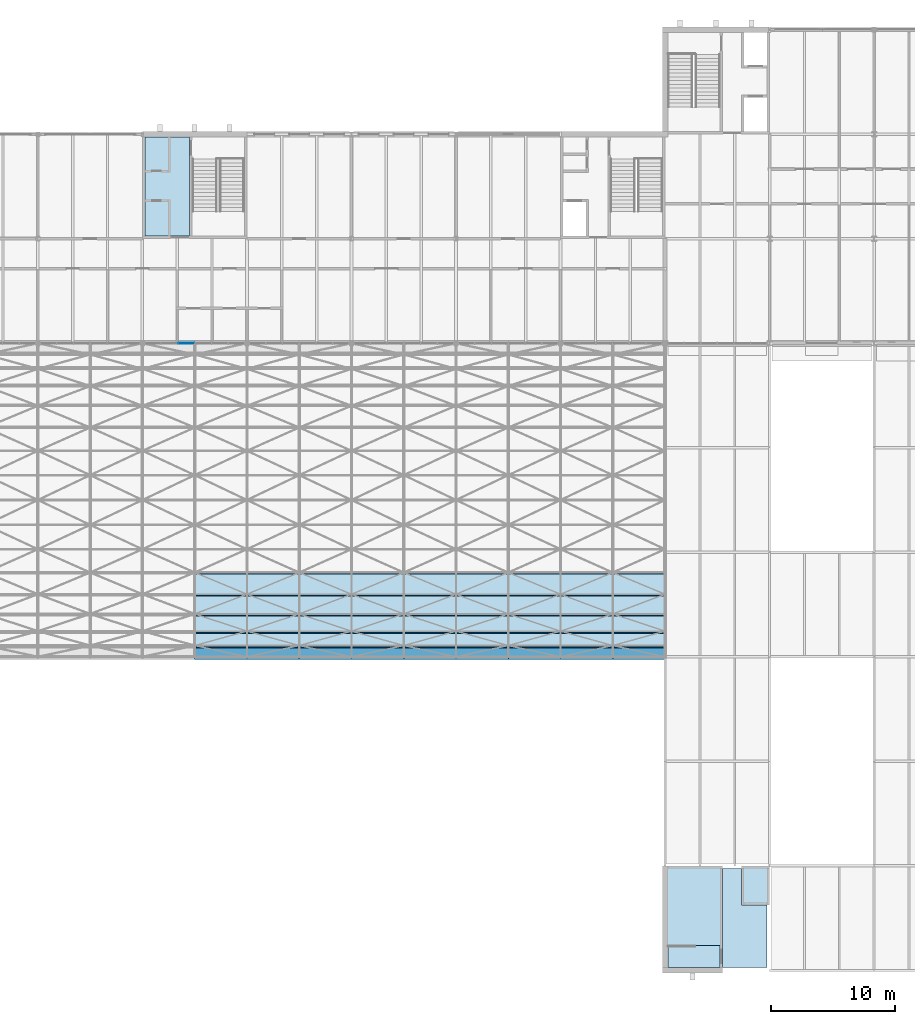
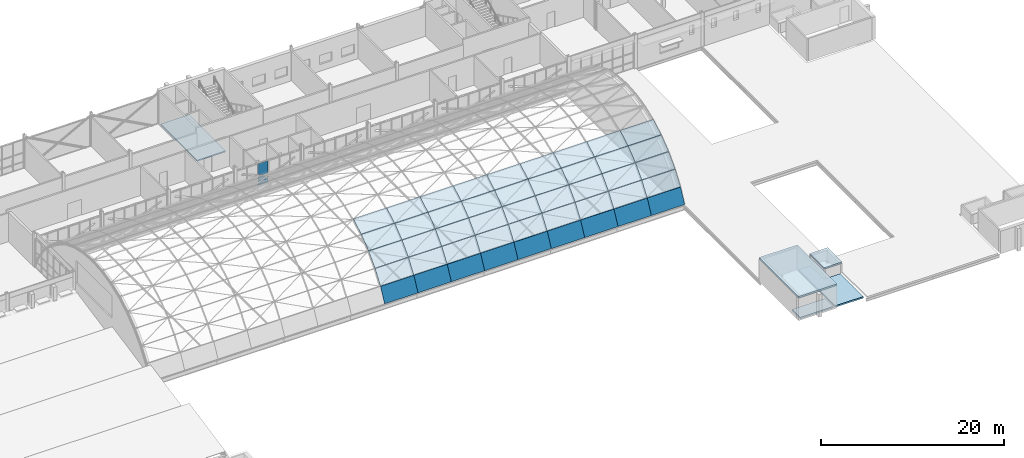
# One storey, part 75 of 121: 48 plates, 5 slabs, 1 element without a shape of its own.
"""IFC4 building model written with IfcOpenShell, lengths in metres."""

from ifc_helpers import new_model, si_unit, direction, frame, origin, place, context, subcontext, project, spatial, polyline, outline, extrude, material, layer, layer_set, type_object, element, aggregate, save


model = new_model("IFC4")

# Units and contexts
model_context = context("Model", 3, precision=1e-05, world=origin(), true_north=direction((0.0, 1.0)))
body_context = subcontext(model_context, "Body", "Model", "MODEL_VIEW")
ifc_project = project(units=[si_unit("LENGTHUNIT", "METRE"), si_unit("AREAUNIT", "SQUARE_METRE"), si_unit("VOLUMEUNIT", "CUBIC_METRE"), si_unit("PLANEANGLEUNIT", "RADIAN"), si_unit("MASSUNIT", "GRAM", prefix="KILO")], contexts=[model_context])

# Site, building, storey
site_placement = place(None, origin())
site = spatial("IfcSite", under=ifc_project, at=site_placement, CompositionType="ELEMENT")
building_placement = place(site_placement, origin())
building = spatial("IfcBuilding", under=site, at=building_placement, Name="Ardhachandra Cancer Care Centre", CompositionType="ELEMENT")
storey_placement = place(building_placement, frame((0.0, 0.0, 9.0)))
storey = spatial("IfcBuildingStorey", under=building, at=storey_placement, Name="L02", CompositionType="ELEMENT", Elevation=9.0)

# Slabs
ifc_material_1 = material(Name="Concrete M40", Category="concrete")
ifc_layer_1 = layer(ifc_material_1, 0.14990234375)
ifc_layer_set_1 = layer_set([ifc_layer_1], Name="Concrete M40")
slab_type_1 = type_object("IfcSlabType", Name="Core floor slab 150", PredefinedType="FLOOR", material=ifc_layer_set_1)
slab_1_placement = place(storey_placement, frame((0.0, 0.0, -0.14990234375)))
element("IfcSlab", 1, at=slab_1_placement, inside=storey, type_object=slab_type_1, Name="Core floor slab K8 L02 2", PredefinedType="FLOOR", context=body_context, shape_type="SweptSolid", body=[
    extrude(outline(polyline([(69.800048828125, 96.375), (69.800048828125, 88.39990234375), (73.39990234375, 88.39990234375), (73.39990234375, 96.375), (69.800048828125, 96.375)])), origin(), (0.0, 0.0, 1.0), 0.14990234375),
])
ifc_material_2 = material(Name="Concrete M40", Category="concrete")
ifc_layer_2 = layer(ifc_material_2, 0.199951171875)
ifc_layer_set_2 = layer_set([ifc_layer_2], Name="Concrete M40")
slab_type_2 = type_object("IfcSlabType", Name="Core head-house floor slab 200", PredefinedType="FLOOR", material=ifc_layer_set_2)
slab_2_placement = place(storey_placement, frame((0.0, 0.0, -0.199951171875)))
element("IfcSlab", 2, at=slab_2_placement, inside=storey, type_object=slab_type_2, Name="Stair head-house floor slab K11 1", PredefinedType="FLOOR", context=body_context, shape_type="SweptSolid", body=[
    extrude(outline(polyline([(116.02490234375, 29.625), (116.02490234375, 31.39990234375), (111.824951171875, 31.39990234375), (111.824951171875, 29.625), (116.02490234375, 29.625)])), origin(), (0.0, 0.0, 1.0), 0.199951171875),
])
ifc_material_3 = material(Name="Concrete M40", Category="concrete")
ifc_layer_3 = layer(ifc_material_3, 0.199951171875)
ifc_layer_set_3 = layer_set([ifc_layer_3], Name="Concrete M40")
slab_type_3 = type_object("IfcSlabType", Name="Core roof slab 200", PredefinedType="ROOF", material=ifc_layer_set_3)
slab_3_placement = place(storey_placement, frame((0.0, 0.0, -0.199951171875)))
element("IfcSlab", 3, at=slab_3_placement, inside=storey, type_object=slab_type_3, Name="Core roof slab K11 2", PredefinedType="ROOF", context=body_context, shape_type="SweptSolid", body=[
    extrude(outline(polyline([(119.800048828125, 34.64990234375), (117.949951171875, 34.64990234375), (117.75, 34.64990234375), (117.75, 37.60009765625), (116.22509765625, 37.60009765625), (116.22509765625, 29.625), (119.800048828125, 29.625), (119.800048828125, 34.64990234375)])), origin(), (0.0, 0.0, 1.0), 0.199951171875),
])

# Curtain wall, plates
ifc_material_4 = material(Name="Aluminium extrusion", Category="aluminium")
ifc_layer_4 = layer(ifc_material_4, 0.14990234375)
ifc_layer_set_4 = layer_set([ifc_layer_4], Name="Aluminium extrusion")
curtain_wall_type = type_object("IfcCurtainWallType", Name="Curtain wall run", PredefinedType="NOTDEFINED", material=ifc_layer_set_4)
curtain_wall_placement = place(storey_placement, origin())
curtain_wall = element("IfcCurtainWall", 4, at=curtain_wall_placement, inside=storey, type_object=curtain_wall_type, Name="Curtain wall L02 s/0069600_0079800", PredefinedType="NOTDEFINED")
ifc_material_5 = material(Name="Low-iron double-glazed unit")
ifc_layer_5 = layer(ifc_material_5, 0.028076171875)
ifc_layer_set_5 = layer_set([ifc_layer_5], Name="Low-iron double-glazed unit")
plate_type_1 = type_object("IfcPlateType", Name="Curtain wall glazing 28", PredefinedType="CURTAIN_PANEL", material=ifc_layer_set_5)
plate_1_placement = place(storey_placement, frame((73.77001953125, 79.800048828125, 0.929931640625), z_axis=(0.0, 1.0, 0.0), x_axis=(-1.0, 0.0, 0.0)))
plate_1 = element("IfcPlate", 5, at=plate_1_placement, type_object=plate_type_1, Name="CW panel 3.2", PredefinedType="CURTAIN_PANEL", context=body_context, shape_type="SweptSolid", body=[
    extrude(outline(polyline([(0.0, 0.0), (1.2900390625, 0.0), (1.2900390625, 0.16943359375), (0.0, 0.718994140625), (0.0, 0.0)])), origin(), (0.0, 0.0, 1.0), 0.028076171875),
])
plate_2_placement = place(storey_placement, frame((72.47998046875, 79.800048828125, 2.070068359375), z_axis=(0.0, 1.0, 0.0), x_axis=(1.0, 0.0, 0.0)))
plate_2 = element("IfcPlate", 6, at=plate_2_placement, type_object=plate_type_1, Name="CW panel 3.2", PredefinedType="CURTAIN_PANEL", context=body_context, shape_type="SweptSolid", body=[
    extrude(outline(polyline([(0.0, 0.0), (0.2763671875, 0.0), (1.009765625, 0.285888671875), (0.0, 0.716064453125), (0.0, 0.0)])), frame((0.0, 0.0, -0.028076171875)), (0.0, 0.0, 1.0), 0.028076171875),
])
plate_3_placement = place(storey_placement, frame((72.47998046875, 79.800048828125, 3.825927734375), z_axis=(0.0, 1.0, 0.0), x_axis=(1.0, 0.0, 0.0)))
plate_3 = element("IfcPlate", 7, at=plate_3_placement, type_object=plate_type_1, Name="CW panel 3.3", PredefinedType="CURTAIN_PANEL", context=body_context, shape_type="SweptSolid", body=[
    extrude(outline(polyline([(0.0, 0.0), (1.2900390625, 0.0), (1.2900390625, 1.696044921875), (0.767578125, 1.696044921875), (0.0, 1.396728515625), (0.0, 0.0)])), origin(), (0.0, 0.0, 1.0), 0.028076171875),
])
aggregate(curtain_wall, [plate_1, plate_2, plate_3])

# Plates
ifc_material_6 = material(Name="Insulated metal roof panel (galvalume skins, PIR core)")
ifc_layer_6 = layer(ifc_material_6, 0.10009765625)
ifc_layer_set_6 = layer_set([ifc_layer_6], Name="Insulated metal roof panel (galvalume skins, PIR core)")
plate_type_2 = type_object("IfcPlateType", Name="Gridshell insulated panel 100", PredefinedType="SHEET", material=ifc_layer_set_6)
plate_4_placement = place(storey_placement, frame((73.800048828125, 54.490966796875, 0.05517578125), z_axis=(0.0, -0.89234719469, 0.451349625156), x_axis=(1.0, 0.0, 0.0)))
element("IfcPlate", 8, at=plate_4_placement, inside=storey, type_object=plate_type_2, Name="Roof cell H 8.1", PredefinedType="SHEET", context=body_context, shape_type="SweptSolid", body=[
    extrude(outline(polyline([(0.0, 0.0), (4.199951171875, 0.0), (4.199951171875, 2.004638671875), (0.0, 2.004638671875), (0.0, 0.0)])), origin(), (0.0, 0.0, 1.0), 0.10009765625),
])
for number, where, z_axis, x_axis, name in (
    (9, (73.800048828125, 55.405029296875, 1.859375), (0.0, -0.816603227697, 0.577199418325), (1.0, 0.0, 0.0), "Roof cell H 8.2"),
    (10, (73.800048828125, 56.573486328125, 3.510498046875), (0.0, -0.723236652239, 0.690600278641), (1.0, 0.0, 0.0), "Roof cell H 8.3"),
):
    element("IfcPlate", number, at=place(storey_placement, frame(where, z_axis=z_axis, x_axis=x_axis)), inside=storey, type_object=plate_type_2, Name=name, PredefinedType="SHEET", context=body_context, shape_type="SweptSolid", body=[
        extrude(outline(polyline([(0.0, 0.0), (4.199951171875, 0.0), (4.199951171875, 2.0048828125), (0.0, 2.0048828125), (0.0, 0.0)])), origin(), (0.0, 0.0, 1.0), 0.10009765625),
    ])
plate_5_placement = place(storey_placement, frame((73.800048828125, 57.971435546875, 4.972412109375), z_axis=(0.0, -0.614303104879, 0.789070146017), x_axis=(1.0, 0.0, 0.0)))
element("IfcPlate", 11, at=plate_5_placement, inside=storey, type_object=plate_type_2, Name="Roof cell H 8.4", PredefinedType="SHEET", context=body_context, shape_type="SweptSolid", body=[
    extrude(outline(polyline([(0.0, 0.0), (4.199951171875, 0.0), (4.199951171875, 2.004638671875), (0.0, 2.004638671875), (0.0, 0.0)])), origin(), (0.0, 0.0, 1.0), 0.10009765625),
])
plate_6_placement = place(storey_placement, frame((73.800048828125, 59.568115234375, 6.2138671875), z_axis=(0.0, -0.492081331779, 0.870549230609), x_axis=(1.0, 0.0, 0.0)))
element("IfcPlate", 12, at=plate_6_placement, inside=storey, type_object=plate_type_2, Name="Roof cell H 8.5", PredefinedType="SHEET", context=body_context, shape_type="SweptSolid", body=[
    extrude(outline(polyline([(0.0, 0.0), (4.199951171875, 0.0), (4.199951171875, 2.0048828125), (0.0, 2.0048828125), (0.0, 0.0)])), origin(), (0.0, 0.0, 1.0), 0.10009765625),
])
plate_7_placement = place(storey_placement, frame((78.0, 54.490966796875, 0.05517578125), z_axis=(0.0, -0.89234719469, 0.451349625156), x_axis=(1.0, 0.0, 0.0)))
element("IfcPlate", 13, at=plate_7_placement, inside=storey, type_object=plate_type_2, Name="Roof cell H 9.1", PredefinedType="SHEET", context=body_context, shape_type="SweptSolid", body=[
    extrude(outline(polyline([(0.0, 0.0), (4.199951171875, 0.0), (4.199951171875, 2.004638671875), (0.0, 2.004638671875), (0.0, 0.0)])), origin(), (0.0, 0.0, 1.0), 0.10009765625),
])
for number, where, z_axis, x_axis, name in (
    (14, (78.0, 55.405029296875, 1.859375), (0.0, -0.816603227697, 0.577199418325), (1.0, 0.0, 0.0), "Roof cell H 9.2"),
    (15, (78.0, 56.573486328125, 3.510498046875), (0.0, -0.723236652239, 0.690600278641), (1.0, 0.0, 0.0), "Roof cell H 9.3"),
):
    element("IfcPlate", number, at=place(storey_placement, frame(where, z_axis=z_axis, x_axis=x_axis)), inside=storey, type_object=plate_type_2, Name=name, PredefinedType="SHEET", context=body_context, shape_type="SweptSolid", body=[
        extrude(outline(polyline([(0.0, 0.0), (4.199951171875, 0.0), (4.199951171875, 2.0048828125), (0.0, 2.0048828125), (0.0, 0.0)])), origin(), (0.0, 0.0, 1.0), 0.10009765625),
    ])
plate_8_placement = place(storey_placement, frame((78.0, 57.971435546875, 4.972412109375), z_axis=(0.0, -0.614303104879, 0.789070146017), x_axis=(1.0, 0.0, 0.0)))
element("IfcPlate", 16, at=plate_8_placement, inside=storey, type_object=plate_type_2, Name="Roof cell H 9.4", PredefinedType="SHEET", context=body_context, shape_type="SweptSolid", body=[
    extrude(outline(polyline([(0.0, 0.0), (4.199951171875, 0.0), (4.199951171875, 2.004638671875), (0.0, 2.004638671875), (0.0, 0.0)])), origin(), (0.0, 0.0, 1.0), 0.10009765625),
])
plate_9_placement = place(storey_placement, frame((78.0, 59.568115234375, 6.2138671875), z_axis=(0.0, -0.492081331779, 0.870549230609), x_axis=(1.0, 0.0, 0.0)))
element("IfcPlate", 17, at=plate_9_placement, inside=storey, type_object=plate_type_2, Name="Roof cell H 9.5", PredefinedType="SHEET", context=body_context, shape_type="SweptSolid", body=[
    extrude(outline(polyline([(0.0, 0.0), (4.199951171875, 0.0), (4.199951171875, 2.0048828125), (0.0, 2.0048828125), (0.0, 0.0)])), origin(), (0.0, 0.0, 1.0), 0.10009765625),
])
plate_10_placement = place(storey_placement, frame((82.199951171875, 54.490966796875, 0.05517578125), z_axis=(0.0, -0.89234719469, 0.451349625156), x_axis=(1.0, 0.0, 0.0)))
element("IfcPlate", 18, at=plate_10_placement, inside=storey, type_object=plate_type_2, Name="Roof cell H 10.1", PredefinedType="SHEET", context=body_context, shape_type="SweptSolid", body=[
    extrude(outline(polyline([(0.0, 0.0), (4.199951171875, 0.0), (4.199951171875, 2.004638671875), (0.0, 2.004638671875), (0.0, 0.0)])), origin(), (0.0, 0.0, 1.0), 0.10009765625),
])
for number, where, z_axis, x_axis, name in (
    (19, (82.199951171875, 55.405029296875, 1.859375), (0.0, -0.816603227697, 0.577199418325), (1.0, 0.0, 0.0), "Roof cell H 10.2"),
    (20, (82.199951171875, 56.573486328125, 3.510498046875), (0.0, -0.723236652239, 0.690600278641), (1.0, 0.0, 0.0), "Roof cell H 10.3"),
):
    element("IfcPlate", number, at=place(storey_placement, frame(where, z_axis=z_axis, x_axis=x_axis)), inside=storey, type_object=plate_type_2, Name=name, PredefinedType="SHEET", context=body_context, shape_type="SweptSolid", body=[
        extrude(outline(polyline([(0.0, 0.0), (4.199951171875, 0.0), (4.199951171875, 2.0048828125), (0.0, 2.0048828125), (0.0, 0.0)])), origin(), (0.0, 0.0, 1.0), 0.10009765625),
    ])
plate_11_placement = place(storey_placement, frame((82.199951171875, 57.971435546875, 4.972412109375), z_axis=(0.0, -0.614303104879, 0.789070146017), x_axis=(1.0, 0.0, 0.0)))
element("IfcPlate", 21, at=plate_11_placement, inside=storey, type_object=plate_type_2, Name="Roof cell H 10.4", PredefinedType="SHEET", context=body_context, shape_type="SweptSolid", body=[
    extrude(outline(polyline([(0.0, 0.0), (4.199951171875, 0.0), (4.199951171875, 2.004638671875), (0.0, 2.004638671875), (0.0, 0.0)])), origin(), (0.0, 0.0, 1.0), 0.10009765625),
])
plate_12_placement = place(storey_placement, frame((82.199951171875, 59.568115234375, 6.2138671875), z_axis=(0.0, -0.492081331779, 0.870549230609), x_axis=(1.0, 0.0, 0.0)))
element("IfcPlate", 22, at=plate_12_placement, inside=storey, type_object=plate_type_2, Name="Roof cell H 10.5", PredefinedType="SHEET", context=body_context, shape_type="SweptSolid", body=[
    extrude(outline(polyline([(0.0, 0.0), (4.199951171875, 0.0), (4.199951171875, 2.0048828125), (0.0, 2.0048828125), (0.0, 0.0)])), origin(), (0.0, 0.0, 1.0), 0.10009765625),
])
plate_13_placement = place(storey_placement, frame((86.39990234375, 54.490966796875, 0.05517578125), z_axis=(0.0, -0.89234719469, 0.451349625156), x_axis=(1.0, 0.0, 0.0)))
element("IfcPlate", 23, at=plate_13_placement, inside=storey, type_object=plate_type_2, Name="Roof cell H 11.1", PredefinedType="SHEET", context=body_context, shape_type="SweptSolid", body=[
    extrude(outline(polyline([(0.0, 0.0), (4.2001953125, 0.0), (4.2001953125, 2.004638671875), (0.0, 2.004638671875), (0.0, 0.0)])), origin(), (0.0, 0.0, 1.0), 0.10009765625),
])
for number, where, z_axis, x_axis, name in (
    (24, (86.39990234375, 55.405029296875, 1.859375), (0.0, -0.816603227697, 0.577199418325), (1.0, 0.0, 0.0), "Roof cell H 11.2"),
    (25, (86.39990234375, 56.573486328125, 3.510498046875), (0.0, -0.723236652239, 0.690600278641), (1.0, 0.0, 0.0), "Roof cell H 11.3"),
):
    element("IfcPlate", number, at=place(storey_placement, frame(where, z_axis=z_axis, x_axis=x_axis)), inside=storey, type_object=plate_type_2, Name=name, PredefinedType="SHEET", context=body_context, shape_type="SweptSolid", body=[
        extrude(outline(polyline([(0.0, 0.0), (4.2001953125, 0.0), (4.2001953125, 2.0048828125), (0.0, 2.0048828125), (0.0, 0.0)])), origin(), (0.0, 0.0, 1.0), 0.10009765625),
    ])
plate_14_placement = place(storey_placement, frame((86.39990234375, 57.971435546875, 4.972412109375), z_axis=(0.0, -0.614303104879, 0.789070146017), x_axis=(1.0, 0.0, 0.0)))
element("IfcPlate", 26, at=plate_14_placement, inside=storey, type_object=plate_type_2, Name="Roof cell H 11.4", PredefinedType="SHEET", context=body_context, shape_type="SweptSolid", body=[
    extrude(outline(polyline([(0.0, 0.0), (4.2001953125, 0.0), (4.2001953125, 2.004638671875), (0.0, 2.004638671875), (0.0, 0.0)])), origin(), (0.0, 0.0, 1.0), 0.10009765625),
])
plate_15_placement = place(storey_placement, frame((86.39990234375, 59.568115234375, 6.2138671875), z_axis=(0.0, -0.492081331779, 0.870549230609), x_axis=(1.0, 0.0, 0.0)))
element("IfcPlate", 27, at=plate_15_placement, inside=storey, type_object=plate_type_2, Name="Roof cell H 11.5", PredefinedType="SHEET", context=body_context, shape_type="SweptSolid", body=[
    extrude(outline(polyline([(0.0, 0.0), (4.2001953125, 0.0), (4.2001953125, 2.0048828125), (0.0, 2.0048828125), (0.0, 0.0)])), origin(), (0.0, 0.0, 1.0), 0.10009765625),
])
plate_16_placement = place(storey_placement, frame((90.60009765625, 54.490966796875, 0.05517578125), z_axis=(0.0, -0.89234719469, 0.451349625156), x_axis=(1.0, 0.0, 0.0)))
element("IfcPlate", 28, at=plate_16_placement, inside=storey, type_object=plate_type_2, Name="Roof cell H 12.1", PredefinedType="SHEET", context=body_context, shape_type="SweptSolid", body=[
    extrude(outline(polyline([(0.0, 0.0), (4.199951171875, 0.0), (4.199951171875, 2.004638671875), (0.0, 2.004638671875), (0.0, 0.0)])), origin(), (0.0, 0.0, 1.0), 0.10009765625),
])
for number, where, z_axis, x_axis, name in (
    (29, (90.60009765625, 55.405029296875, 1.859375), (0.0, -0.816603227697, 0.577199418325), (1.0, 0.0, 0.0), "Roof cell H 12.2"),
    (30, (90.60009765625, 56.573486328125, 3.510498046875), (0.0, -0.723236652239, 0.690600278641), (1.0, 0.0, 0.0), "Roof cell H 12.3"),
):
    element("IfcPlate", number, at=place(storey_placement, frame(where, z_axis=z_axis, x_axis=x_axis)), inside=storey, type_object=plate_type_2, Name=name, PredefinedType="SHEET", context=body_context, shape_type="SweptSolid", body=[
        extrude(outline(polyline([(0.0, 0.0), (4.199951171875, 0.0), (4.199951171875, 2.0048828125), (0.0, 2.0048828125), (0.0, 0.0)])), origin(), (0.0, 0.0, 1.0), 0.10009765625),
    ])
plate_17_placement = place(storey_placement, frame((90.60009765625, 57.971435546875, 4.972412109375), z_axis=(0.0, -0.614303104879, 0.789070146017), x_axis=(1.0, 0.0, 0.0)))
element("IfcPlate", 31, at=plate_17_placement, inside=storey, type_object=plate_type_2, Name="Roof cell H 12.4", PredefinedType="SHEET", context=body_context, shape_type="SweptSolid", body=[
    extrude(outline(polyline([(0.0, 0.0), (4.199951171875, 0.0), (4.199951171875, 2.004638671875), (0.0, 2.004638671875), (0.0, 0.0)])), origin(), (0.0, 0.0, 1.0), 0.10009765625),
])
plate_18_placement = place(storey_placement, frame((90.60009765625, 59.568115234375, 6.2138671875), z_axis=(0.0, -0.492081331779, 0.870549230609), x_axis=(1.0, 0.0, 0.0)))
element("IfcPlate", 32, at=plate_18_placement, inside=storey, type_object=plate_type_2, Name="Roof cell H 12.5", PredefinedType="SHEET", context=body_context, shape_type="SweptSolid", body=[
    extrude(outline(polyline([(0.0, 0.0), (4.199951171875, 0.0), (4.199951171875, 2.0048828125), (0.0, 2.0048828125), (0.0, 0.0)])), origin(), (0.0, 0.0, 1.0), 0.10009765625),
])
plate_19_placement = place(storey_placement, frame((94.800048828125, 54.490966796875, 0.05517578125), z_axis=(0.0, -0.89234719469, 0.451349625156), x_axis=(1.0, 0.0, 0.0)))
element("IfcPlate", 33, at=plate_19_placement, inside=storey, type_object=plate_type_2, Name="Roof cell H 13.1", PredefinedType="SHEET", context=body_context, shape_type="SweptSolid", body=[
    extrude(outline(polyline([(0.0, 0.0), (4.199951171875, 0.0), (4.199951171875, 2.004638671875), (0.0, 2.004638671875), (0.0, 0.0)])), origin(), (0.0, 0.0, 1.0), 0.10009765625),
])
for number, where, z_axis, x_axis, name in (
    (34, (94.800048828125, 55.405029296875, 1.859375), (0.0, -0.816603227697, 0.577199418325), (1.0, 0.0, 0.0), "Roof cell H 13.2"),
    (35, (94.800048828125, 56.573486328125, 3.510498046875), (0.0, -0.723236652239, 0.690600278641), (1.0, 0.0, 0.0), "Roof cell H 13.3"),
):
    element("IfcPlate", number, at=place(storey_placement, frame(where, z_axis=z_axis, x_axis=x_axis)), inside=storey, type_object=plate_type_2, Name=name, PredefinedType="SHEET", context=body_context, shape_type="SweptSolid", body=[
        extrude(outline(polyline([(0.0, 0.0), (4.199951171875, 0.0), (4.199951171875, 2.0048828125), (0.0, 2.0048828125), (0.0, 0.0)])), origin(), (0.0, 0.0, 1.0), 0.10009765625),
    ])
plate_20_placement = place(storey_placement, frame((94.800048828125, 57.971435546875, 4.972412109375), z_axis=(0.0, -0.614303104879, 0.789070146017), x_axis=(1.0, 0.0, 0.0)))
element("IfcPlate", 36, at=plate_20_placement, inside=storey, type_object=plate_type_2, Name="Roof cell H 13.4", PredefinedType="SHEET", context=body_context, shape_type="SweptSolid", body=[
    extrude(outline(polyline([(0.0, 0.0), (4.199951171875, 0.0), (4.199951171875, 2.004638671875), (0.0, 2.004638671875), (0.0, 0.0)])), origin(), (0.0, 0.0, 1.0), 0.10009765625),
])
plate_21_placement = place(storey_placement, frame((94.800048828125, 59.568115234375, 6.2138671875), z_axis=(0.0, -0.492081331779, 0.870549230609), x_axis=(1.0, 0.0, 0.0)))
element("IfcPlate", 37, at=plate_21_placement, inside=storey, type_object=plate_type_2, Name="Roof cell H 13.5", PredefinedType="SHEET", context=body_context, shape_type="SweptSolid", body=[
    extrude(outline(polyline([(0.0, 0.0), (4.199951171875, 0.0), (4.199951171875, 2.0048828125), (0.0, 2.0048828125), (0.0, 0.0)])), origin(), (0.0, 0.0, 1.0), 0.10009765625),
])
plate_22_placement = place(storey_placement, frame((99.0, 54.490966796875, 0.05517578125), z_axis=(0.0, -0.89234719469, 0.451349625156), x_axis=(1.0, 0.0, 0.0)))
element("IfcPlate", 38, at=plate_22_placement, inside=storey, type_object=plate_type_2, Name="Roof cell H 14.1", PredefinedType="SHEET", context=body_context, shape_type="SweptSolid", body=[
    extrude(outline(polyline([(0.0, 0.0), (4.199951171875, 0.0), (4.199951171875, 2.004638671875), (0.0, 2.004638671875), (0.0, 0.0)])), origin(), (0.0, 0.0, 1.0), 0.10009765625),
])
for number, where, z_axis, x_axis, name in (
    (39, (99.0, 55.405029296875, 1.859375), (0.0, -0.816603227697, 0.577199418325), (1.0, 0.0, 0.0), "Roof cell H 14.2"),
    (40, (99.0, 56.573486328125, 3.510498046875), (0.0, -0.723236652239, 0.690600278641), (1.0, 0.0, 0.0), "Roof cell H 14.3"),
):
    element("IfcPlate", number, at=place(storey_placement, frame(where, z_axis=z_axis, x_axis=x_axis)), inside=storey, type_object=plate_type_2, Name=name, PredefinedType="SHEET", context=body_context, shape_type="SweptSolid", body=[
        extrude(outline(polyline([(0.0, 0.0), (4.199951171875, 0.0), (4.199951171875, 2.0048828125), (0.0, 2.0048828125), (0.0, 0.0)])), origin(), (0.0, 0.0, 1.0), 0.10009765625),
    ])
plate_23_placement = place(storey_placement, frame((99.0, 57.971435546875, 4.972412109375), z_axis=(0.0, -0.614303104879, 0.789070146017), x_axis=(1.0, 0.0, 0.0)))
element("IfcPlate", 41, at=plate_23_placement, inside=storey, type_object=plate_type_2, Name="Roof cell H 14.4", PredefinedType="SHEET", context=body_context, shape_type="SweptSolid", body=[
    extrude(outline(polyline([(0.0, 0.0), (4.199951171875, 0.0), (4.199951171875, 2.004638671875), (0.0, 2.004638671875), (0.0, 0.0)])), origin(), (0.0, 0.0, 1.0), 0.10009765625),
])
plate_24_placement = place(storey_placement, frame((99.0, 59.568115234375, 6.2138671875), z_axis=(0.0, -0.492081331779, 0.870549230609), x_axis=(1.0, 0.0, 0.0)))
element("IfcPlate", 42, at=plate_24_placement, inside=storey, type_object=plate_type_2, Name="Roof cell H 14.5", PredefinedType="SHEET", context=body_context, shape_type="SweptSolid", body=[
    extrude(outline(polyline([(0.0, 0.0), (4.199951171875, 0.0), (4.199951171875, 2.0048828125), (0.0, 2.0048828125), (0.0, 0.0)])), origin(), (0.0, 0.0, 1.0), 0.10009765625),
])
plate_25_placement = place(storey_placement, frame((103.199951171875, 54.490966796875, 0.05517578125), z_axis=(0.0, -0.89234719469, 0.451349625156), x_axis=(1.0, 0.0, 0.0)))
element("IfcPlate", 43, at=plate_25_placement, inside=storey, type_object=plate_type_2, Name="Roof cell H 15.1", PredefinedType="SHEET", context=body_context, shape_type="SweptSolid", body=[
    extrude(outline(polyline([(0.0, 0.0), (4.199951171875, 0.0), (4.199951171875, 2.004638671875), (0.0, 2.004638671875), (0.0, 0.0)])), origin(), (0.0, 0.0, 1.0), 0.10009765625),
])
for number, where, z_axis, x_axis, name in (
    (44, (103.199951171875, 55.405029296875, 1.859375), (0.0, -0.816603227697, 0.577199418325), (1.0, 0.0, 0.0), "Roof cell H 15.2"),
    (45, (103.199951171875, 56.573486328125, 3.510498046875), (0.0, -0.723236652239, 0.690600278641), (1.0, 0.0, 0.0), "Roof cell H 15.3"),
):
    element("IfcPlate", number, at=place(storey_placement, frame(where, z_axis=z_axis, x_axis=x_axis)), inside=storey, type_object=plate_type_2, Name=name, PredefinedType="SHEET", context=body_context, shape_type="SweptSolid", body=[
        extrude(outline(polyline([(0.0, 0.0), (4.199951171875, 0.0), (4.199951171875, 2.0048828125), (0.0, 2.0048828125), (0.0, 0.0)])), origin(), (0.0, 0.0, 1.0), 0.10009765625),
    ])
plate_26_placement = place(storey_placement, frame((103.199951171875, 57.971435546875, 4.972412109375), z_axis=(0.0, -0.614303104879, 0.789070146017), x_axis=(1.0, 0.0, 0.0)))
element("IfcPlate", 46, at=plate_26_placement, inside=storey, type_object=plate_type_2, Name="Roof cell H 15.4", PredefinedType="SHEET", context=body_context, shape_type="SweptSolid", body=[
    extrude(outline(polyline([(0.0, 0.0), (4.199951171875, 0.0), (4.199951171875, 2.004638671875), (0.0, 2.004638671875), (0.0, 0.0)])), origin(), (0.0, 0.0, 1.0), 0.10009765625),
])
plate_27_placement = place(storey_placement, frame((103.199951171875, 59.568115234375, 6.2138671875), z_axis=(0.0, -0.492081331779, 0.870549230609), x_axis=(1.0, 0.0, 0.0)))
element("IfcPlate", 47, at=plate_27_placement, inside=storey, type_object=plate_type_2, Name="Roof cell H 15.5", PredefinedType="SHEET", context=body_context, shape_type="SweptSolid", body=[
    extrude(outline(polyline([(0.0, 0.0), (4.199951171875, 0.0), (4.199951171875, 2.0048828125), (0.0, 2.0048828125), (0.0, 0.0)])), origin(), (0.0, 0.0, 1.0), 0.10009765625),
])
plate_28_placement = place(storey_placement, frame((107.39990234375, 54.490966796875, 0.05517578125), z_axis=(0.0, -0.89234719469, 0.451349625156), x_axis=(1.0, 0.0, 0.0)))
element("IfcPlate", 48, at=plate_28_placement, inside=storey, type_object=plate_type_2, Name="Roof cell H 16.1", PredefinedType="SHEET", context=body_context, shape_type="SweptSolid", body=[
    extrude(outline(polyline([(0.0, 0.0), (4.2001953125, 0.0), (4.2001953125, 2.004638671875), (0.0, 2.004638671875), (0.0, 0.0)])), origin(), (0.0, 0.0, 1.0), 0.10009765625),
])
for number, where, z_axis, x_axis, name in (
    (49, (107.39990234375, 55.405029296875, 1.859375), (0.0, -0.816603227697, 0.577199418325), (1.0, 0.0, 0.0), "Roof cell H 16.2"),
    (50, (107.39990234375, 56.573486328125, 3.510498046875), (0.0, -0.723236652239, 0.690600278641), (1.0, 0.0, 0.0), "Roof cell H 16.3"),
):
    element("IfcPlate", number, at=place(storey_placement, frame(where, z_axis=z_axis, x_axis=x_axis)), inside=storey, type_object=plate_type_2, Name=name, PredefinedType="SHEET", context=body_context, shape_type="SweptSolid", body=[
        extrude(outline(polyline([(0.0, 0.0), (4.2001953125, 0.0), (4.2001953125, 2.0048828125), (0.0, 2.0048828125), (0.0, 0.0)])), origin(), (0.0, 0.0, 1.0), 0.10009765625),
    ])
plate_29_placement = place(storey_placement, frame((107.39990234375, 57.971435546875, 4.972412109375), z_axis=(0.0, -0.614303104879, 0.789070146017), x_axis=(1.0, 0.0, 0.0)))
element("IfcPlate", 51, at=plate_29_placement, inside=storey, type_object=plate_type_2, Name="Roof cell H 16.4", PredefinedType="SHEET", context=body_context, shape_type="SweptSolid", body=[
    extrude(outline(polyline([(0.0, 0.0), (4.2001953125, 0.0), (4.2001953125, 2.004638671875), (0.0, 2.004638671875), (0.0, 0.0)])), origin(), (0.0, 0.0, 1.0), 0.10009765625),
])
plate_30_placement = place(storey_placement, frame((107.39990234375, 59.568115234375, 6.2138671875), z_axis=(0.0, -0.492081331779, 0.870549230609), x_axis=(1.0, 0.0, 0.0)))
element("IfcPlate", 52, at=plate_30_placement, inside=storey, type_object=plate_type_2, Name="Roof cell H 16.5", PredefinedType="SHEET", context=body_context, shape_type="SweptSolid", body=[
    extrude(outline(polyline([(0.0, 0.0), (4.2001953125, 0.0), (4.2001953125, 2.0048828125), (0.0, 2.0048828125), (0.0, 0.0)])), origin(), (0.0, 0.0, 1.0), 0.10009765625),
])

# Slabs
ifc_material_7 = material(Name="Concrete M40", Category="concrete")
ifc_layer_7 = layer(ifc_material_7, 0.199951171875)
ifc_layer_set_7 = layer_set([ifc_layer_7], Name="Concrete M40")
slab_type_4 = type_object("IfcSlabType", Name="Head-house and overrun roof slab 200", PredefinedType="ROOF", material=ifc_layer_set_7)
slab_4_placement = place(storey_placement, frame((0.0, 0.0, 3.0)))
element("IfcSlab", 53, at=slab_4_placement, inside=storey, type_object=slab_type_4, Name="Stair head-house roof K11", PredefinedType="ROOF", context=body_context, shape_type="SweptSolid", body=[
    extrude(outline(polyline([(111.375, 29.175048828125), (111.375, 37.800048828125), (116.22509765625, 37.800048828125), (116.22509765625, 29.175048828125), (111.375, 29.175048828125)])), origin(), (0.0, 0.0, 1.0), 0.199951171875),
])
slab_5_placement = place(storey_placement, frame((0.0, 0.0, 1.300048828125)))
element("IfcSlab", 54, at=slab_5_placement, inside=storey, type_object=slab_type_4, Name="Lift overrun roof K11A", PredefinedType="ROOF", context=body_context, shape_type="SweptSolid", body=[
    extrude(outline(polyline([(120.0, 34.64990234375), (117.75, 34.64990234375), (117.75, 37.800048828125), (120.0, 37.800048828125), (120.0, 34.64990234375)])), origin(), (0.0, 0.0, 1.0), 0.199951171875),
])

save(model, "model.ifc")
